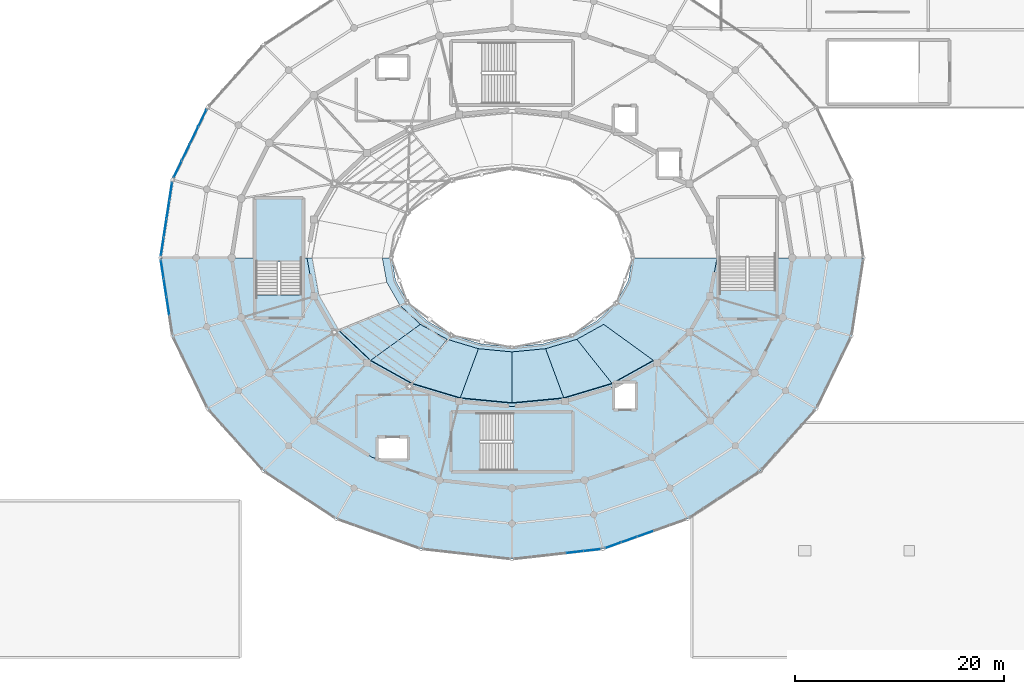
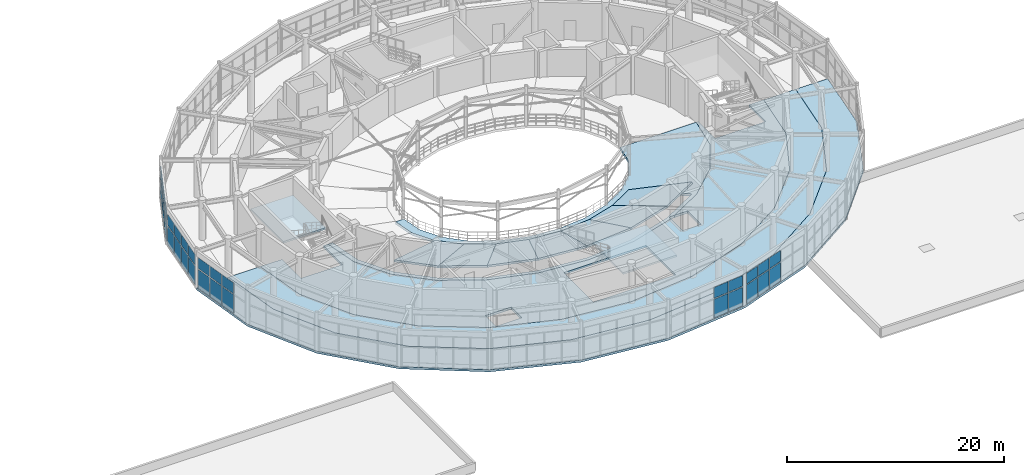
# One storey, part 74 of 112: 32 plates, 13 slabs, 7 elements without a shape of their own.
"""IFC4 building model written with IfcOpenShell, lengths in metres."""

from ifc_helpers import new_model, si_unit, direction, frame, origin, origin_2d, place, context, subcontext, project, spatial, polyline, rectangle, outline, extrude, material, layer, layer_set, type_object, element, aggregate, save


model = new_model("IFC4")

# Units and contexts
model_context = context("Model", 3, precision=1e-05, world=origin(), true_north=direction((0.0, 1.0)))
body_context = subcontext(model_context, "Body", "Model", "MODEL_VIEW")
ifc_project = project(units=[si_unit("LENGTHUNIT", "METRE"), si_unit("AREAUNIT", "SQUARE_METRE"), si_unit("VOLUMEUNIT", "CUBIC_METRE"), si_unit("PLANEANGLEUNIT", "RADIAN"), si_unit("MASSUNIT", "GRAM", prefix="KILO")], contexts=[model_context])

# Site, building, storey
site_placement = place(None, origin())
site = spatial("IfcSite", under=ifc_project, at=site_placement, CompositionType="ELEMENT")
building_placement = place(site_placement, origin())
building = spatial("IfcBuilding", under=site, at=building_placement, Name="Cinderbank Siding Concert Hall", CompositionType="ELEMENT")
storey_placement = place(building_placement, frame((0.0, 0.0, 10.199951171875)))
storey = spatial("IfcBuildingStorey", under=building, at=storey_placement, Name="L03", CompositionType="ELEMENT", Elevation=10.199951171875)

# Curtain wall, plates
ifc_material_1 = material(Name="Anodised aluminium alloy 6063-T6", Category="aluminium")
curtain_wall_type_1 = type_object("IfcCurtainWallType", Name="CW-11 Unitised Acoustic Curtain Wall 6600x3500", PredefinedType="NOTDEFINED", material=ifc_material_1)
curtain_wall_1_placement = place(storey_placement, origin())
curtain_wall_1 = element("IfcCurtainWall", 1, at=curtain_wall_1_placement, inside=storey, type_object=curtain_wall_type_1, Name="L03 Curtain Wall CW-11 #35", PredefinedType="NOTDEFINED")
ifc_material_2 = material(Name="Double-glazed laminated acoustic glass", Category="glass")
ifc_layer_1 = layer(ifc_material_2, 0.031982421875)
ifc_layer_set_1 = layer_set([ifc_layer_1], Name="Double-glazed laminated acoustic glass")
plate_type_1 = type_object("IfcPlateType", Name="CP-04 Glazed Curtain Panel 1400x2000", PredefinedType="CURTAIN_PANEL", material=ifc_layer_set_1)
plate_1_placement = place(storey_placement, frame((92.407958984375, 57.37841796875, 0.1201171875), z_axis=(0.0, 0.0, 1.0), x_axis=(-0.435102109714, -0.900381116041, 0.0)))
plate_1 = element("IfcPlate", 2, at=plate_1_placement, type_object=plate_type_1, Name="CW-L03-035 Glazed Panel 0-0", PredefinedType="CURTAIN_PANEL", context=body_context, shape_type="SweptSolid", body=[
    extrude(rectangle(XDim=1.715087890625, YDim=0.035888671875, at=origin_2d()), origin(), (0.0, 0.0, 1.0), 2.093505859375),
])
plate_2_placement = place(storey_placement, frame((92.407958984375, 57.37841796875, 2.333740234375), z_axis=(0.0, 0.0, 1.0), x_axis=(-0.435102109714, -0.900381116041, 0.0)))
plate_2 = element("IfcPlate", 3, at=plate_2_placement, type_object=plate_type_1, Name="CW-L03-035 Glazed Panel 0-1", PredefinedType="CURTAIN_PANEL", context=body_context, shape_type="SweptSolid", body=[
    extrude(rectangle(XDim=1.715087890625, YDim=0.035888671875, at=origin_2d()), origin(), (0.0, 0.0, 1.0), 1.21337890625),
])
plate_3_placement = place(storey_placement, frame((91.6181640625, 55.744140625, 0.1201171875), z_axis=(0.0, 0.0, 1.0), x_axis=(-0.435102109714, -0.900381116041, 0.0)))
plate_3 = element("IfcPlate", 4, at=plate_3_placement, type_object=plate_type_1, Name="CW-L03-035 Glazed Panel 1-0", PredefinedType="CURTAIN_PANEL", context=body_context, shape_type="SweptSolid", body=[
    extrude(rectangle(XDim=1.715087890625, YDim=0.035888671875, at=origin_2d()), origin(), (0.0, 0.0, 1.0), 2.093505859375),
])
plate_4_placement = place(storey_placement, frame((91.6181640625, 55.744140625, 2.333740234375), z_axis=(0.0, 0.0, 1.0), x_axis=(-0.435102109714, -0.900381116041, 0.0)))
plate_4 = element("IfcPlate", 5, at=plate_4_placement, type_object=plate_type_1, Name="CW-L03-035 Glazed Panel 1-1", PredefinedType="CURTAIN_PANEL", context=body_context, shape_type="SweptSolid", body=[
    extrude(rectangle(XDim=1.715087890625, YDim=0.035888671875, at=origin_2d()), origin(), (0.0, 0.0, 1.0), 1.21337890625),
])
plate_5_placement = place(storey_placement, frame((90.828369140625, 54.10986328125, 0.1201171875), z_axis=(0.0, 0.0, 1.0), x_axis=(-0.435102109714, -0.900381116041, 0.0)))
plate_5 = element("IfcPlate", 6, at=plate_5_placement, type_object=plate_type_1, Name="CW-L03-035 Glazed Panel 2-0", PredefinedType="CURTAIN_PANEL", context=body_context, shape_type="SweptSolid", body=[
    extrude(rectangle(XDim=1.715087890625, YDim=0.035888671875, at=origin_2d()), origin(), (0.0, 0.0, 1.0), 2.093505859375),
])
plate_6_placement = place(storey_placement, frame((90.828369140625, 54.10986328125, 2.333740234375), z_axis=(0.0, 0.0, 1.0), x_axis=(-0.435102109714, -0.900381116041, 0.0)))
plate_6 = element("IfcPlate", 7, at=plate_6_placement, type_object=plate_type_1, Name="CW-L03-035 Glazed Panel 2-1", PredefinedType="CURTAIN_PANEL", context=body_context, shape_type="SweptSolid", body=[
    extrude(rectangle(XDim=1.715087890625, YDim=0.035888671875, at=origin_2d()), origin(), (0.0, 0.0, 1.0), 1.21337890625),
])
plate_7_placement = place(storey_placement, frame((90.03857421875, 52.4755859375, 0.1201171875), z_axis=(0.0, 0.0, 1.0), x_axis=(-0.435102109714, -0.900381116041, 0.0)))
plate_7 = element("IfcPlate", 8, at=plate_7_placement, type_object=plate_type_1, Name="CW-L03-035 Glazed Panel 3-0", PredefinedType="CURTAIN_PANEL", context=body_context, shape_type="SweptSolid", body=[
    extrude(rectangle(XDim=1.715087890625, YDim=0.035888671875, at=origin_2d()), origin(), (0.0, 0.0, 1.0), 2.093505859375),
])
plate_8_placement = place(storey_placement, frame((90.03857421875, 52.4755859375, 2.333740234375), z_axis=(0.0, 0.0, 1.0), x_axis=(-0.435102109714, -0.900381116041, 0.0)))
plate_8 = element("IfcPlate", 9, at=plate_8_placement, type_object=plate_type_1, Name="CW-L03-035 Glazed Panel 3-1", PredefinedType="CURTAIN_PANEL", context=body_context, shape_type="SweptSolid", body=[
    extrude(rectangle(XDim=1.715087890625, YDim=0.035888671875, at=origin_2d()), origin(), (0.0, 0.0, 1.0), 1.21337890625),
])
aggregate(curtain_wall_1, [plate_1, plate_2, plate_3, plate_4, plate_5, plate_6, plate_7, plate_8])

curtain_wall_type_2 = type_object("IfcCurtainWallType", Name="CW-07 Unitised Acoustic Curtain Wall 7000x3800", PredefinedType="NOTDEFINED", material=ifc_material_1)
curtain_wall_2_placement = place(storey_placement, origin())
curtain_wall_2 = element("IfcCurtainWall", 10, at=curtain_wall_2_placement, inside=storey, type_object=curtain_wall_type_2, Name="L03 Curtain Wall CW-07 #43", PredefinedType="NOTDEFINED")
plate_9_placement = place(storey_placement, frame((127.997314453125, 15.876708984375, 0.1201171875), z_axis=(0.0, 0.0, 1.0), x_axis=(0.993693605349, 0.112129472879, 0.0)))
plate_9 = element("IfcPlate", 11, at=plate_9_placement, type_object=plate_type_1, Name="CW-L03-043 Glazed Panel 3-0", PredefinedType="CURTAIN_PANEL", context=body_context, shape_type="SweptSolid", body=[
    extrude(rectangle(XDim=1.5595703125, YDim=0.035888671875, at=origin_2d()), origin(), (0.0, 0.0, 1.0), 2.093505859375),
])
plate_10_placement = place(storey_placement, frame((127.997314453125, 15.876708984375, 2.333740234375), z_axis=(0.0, 0.0, 1.0), x_axis=(0.993693605349, 0.112129472879, 0.0)))
plate_10 = element("IfcPlate", 12, at=plate_10_placement, type_object=plate_type_1, Name="CW-L03-043 Glazed Panel 3-1", PredefinedType="CURTAIN_PANEL", context=body_context, shape_type="SweptSolid", body=[
    extrude(rectangle(XDim=1.5595703125, YDim=0.035888671875, at=origin_2d()), origin(), (0.0, 0.0, 1.0), 1.21337890625),
])
plate_11_placement = place(storey_placement, frame((129.646240234375, 16.062744140625, 0.1201171875), z_axis=(0.0, 0.0, 1.0), x_axis=(0.993693605349, 0.112129472879, 0.0)))
plate_11 = element("IfcPlate", 13, at=plate_11_placement, type_object=plate_type_1, Name="CW-L03-043 Glazed Panel 4-0", PredefinedType="CURTAIN_PANEL", context=body_context, shape_type="SweptSolid", body=[
    extrude(rectangle(XDim=1.5595703125, YDim=0.035888671875, at=origin_2d()), origin(), (0.0, 0.0, 1.0), 2.093505859375),
])
plate_12_placement = place(storey_placement, frame((129.646240234375, 16.062744140625, 2.333740234375), z_axis=(0.0, 0.0, 1.0), x_axis=(0.993693605349, 0.112129472879, 0.0)))
plate_12 = element("IfcPlate", 14, at=plate_12_placement, type_object=plate_type_1, Name="CW-L03-043 Glazed Panel 4-1", PredefinedType="CURTAIN_PANEL", context=body_context, shape_type="SweptSolid", body=[
    extrude(rectangle(XDim=1.5595703125, YDim=0.035888671875, at=origin_2d()), origin(), (0.0, 0.0, 1.0), 1.21337890625),
])
aggregate(curtain_wall_2, [plate_9, plate_10, plate_11, plate_12])

curtain_wall_type_3 = type_object("IfcCurtainWallType", Name="CW-12 Unitised Acoustic Curtain Wall 5800x3500", PredefinedType="NOTDEFINED", material=ifc_material_1)
curtain_wall_3_placement = place(storey_placement, origin())
curtain_wall_3 = element("IfcCurtainWall", 15, at=curtain_wall_3_placement, inside=storey, type_object=curtain_wall_type_3, Name="L03 Curtain Wall CW-12 #36", PredefinedType="NOTDEFINED")
ifc_layer_2 = layer(ifc_material_2, 0.031982421875)
ifc_layer_set_2 = layer_set([ifc_layer_2], Name="Double-glazed laminated acoustic glass")
plate_type_2 = type_object("IfcPlateType", Name="CP-05 Glazed Curtain Panel 1200x1800", PredefinedType="CURTAIN_PANEL", material=ifc_layer_set_2)
plate_13_placement = place(storey_placement, frame((89.3759765625, 50.35400390625, 0.1201171875), z_axis=(0.0, 0.0, 1.0), x_axis=(-0.151815048473, -0.988408918949, 0.0)))
plate_13 = element("IfcPlate", 16, at=plate_13_placement, type_object=plate_type_2, Name="CW-L03-036 Glazed Panel 0-0", PredefinedType="CURTAIN_PANEL", context=body_context, shape_type="SweptSolid", body=[
    extrude(rectangle(XDim=1.671875, YDim=0.035888671875, at=origin_2d()), origin(), (0.0, 0.0, 1.0), 2.093505859375),
])
plate_14_placement = place(storey_placement, frame((89.3759765625, 50.35400390625, 2.333740234375), z_axis=(0.0, 0.0, 1.0), x_axis=(-0.151815048473, -0.988408918949, 0.0)))
plate_14 = element("IfcPlate", 17, at=plate_14_placement, type_object=plate_type_2, Name="CW-L03-036 Glazed Panel 0-1", PredefinedType="CURTAIN_PANEL", context=body_context, shape_type="SweptSolid", body=[
    extrude(rectangle(XDim=1.671875, YDim=0.035888671875, at=origin_2d()), origin(), (0.0, 0.0, 1.0), 1.21337890625),
])
plate_15_placement = place(storey_placement, frame((89.10693359375, 48.602783203125, 0.1201171875), z_axis=(0.0, 0.0, 1.0), x_axis=(-0.151815048473, -0.988408918949, 0.0)))
plate_15 = element("IfcPlate", 18, at=plate_15_placement, type_object=plate_type_2, Name="CW-L03-036 Glazed Panel 1-0", PredefinedType="CURTAIN_PANEL", context=body_context, shape_type="SweptSolid", body=[
    extrude(rectangle(XDim=1.671875, YDim=0.035888671875, at=origin_2d()), origin(), (0.0, 0.0, 1.0), 2.093505859375),
])
plate_16_placement = place(storey_placement, frame((89.10693359375, 48.602783203125, 2.333740234375), z_axis=(0.0, 0.0, 1.0), x_axis=(-0.151815048473, -0.988408918949, 0.0)))
plate_16 = element("IfcPlate", 19, at=plate_16_placement, type_object=plate_type_2, Name="CW-L03-036 Glazed Panel 1-1", PredefinedType="CURTAIN_PANEL", context=body_context, shape_type="SweptSolid", body=[
    extrude(rectangle(XDim=1.671875, YDim=0.035888671875, at=origin_2d()), origin(), (0.0, 0.0, 1.0), 1.21337890625),
])
plate_17_placement = place(storey_placement, frame((88.837890625, 46.851318359375, 0.1201171875), z_axis=(0.0, 0.0, 1.0), x_axis=(-0.151815048473, -0.988408918949, 0.0)))
plate_17 = element("IfcPlate", 20, at=plate_17_placement, type_object=plate_type_2, Name="CW-L03-036 Glazed Panel 2-0", PredefinedType="CURTAIN_PANEL", context=body_context, shape_type="SweptSolid", body=[
    extrude(rectangle(XDim=1.671875, YDim=0.035888671875, at=origin_2d()), origin(), (0.0, 0.0, 1.0), 2.093505859375),
])
plate_18_placement = place(storey_placement, frame((88.837890625, 46.851318359375, 2.333740234375), z_axis=(0.0, 0.0, 1.0), x_axis=(-0.151815048473, -0.988408918949, 0.0)))
plate_18 = element("IfcPlate", 21, at=plate_18_placement, type_object=plate_type_2, Name="CW-L03-036 Glazed Panel 2-1", PredefinedType="CURTAIN_PANEL", context=body_context, shape_type="SweptSolid", body=[
    extrude(rectangle(XDim=1.671875, YDim=0.035888671875, at=origin_2d()), origin(), (0.0, 0.0, 1.0), 1.21337890625),
])
plate_19_placement = place(storey_placement, frame((88.569091796875, 45.10009765625, 0.1201171875), z_axis=(0.0, 0.0, 1.0), x_axis=(-0.151815048473, -0.988408918949, 0.0)))
plate_19 = element("IfcPlate", 22, at=plate_19_placement, type_object=plate_type_2, Name="CW-L03-036 Glazed Panel 3-0", PredefinedType="CURTAIN_PANEL", context=body_context, shape_type="SweptSolid", body=[
    extrude(rectangle(XDim=1.671875, YDim=0.035888671875, at=origin_2d()), origin(), (0.0, 0.0, 1.0), 2.093505859375),
])
plate_20_placement = place(storey_placement, frame((88.569091796875, 45.10009765625, 2.333740234375), z_axis=(0.0, 0.0, 1.0), x_axis=(-0.151815048473, -0.988408918949, 0.0)))
plate_20 = element("IfcPlate", 23, at=plate_20_placement, type_object=plate_type_2, Name="CW-L03-036 Glazed Panel 3-1", PredefinedType="CURTAIN_PANEL", context=body_context, shape_type="SweptSolid", body=[
    extrude(rectangle(XDim=1.671875, YDim=0.035888671875, at=origin_2d()), origin(), (0.0, 0.0, 1.0), 1.21337890625),
])
aggregate(curtain_wall_3, [plate_13, plate_14, plate_15, plate_16, plate_17, plate_18, plate_19, plate_20])

curtain_wall_type_4 = type_object("IfcCurtainWallType", Name="CW-08 Unitised Acoustic Curtain Wall 6400x3800", PredefinedType="NOTDEFINED", material=ifc_material_1)
curtain_wall_4_placement = place(storey_placement, origin())
curtain_wall_4 = element("IfcCurtainWall", 24, at=curtain_wall_4_placement, inside=storey, type_object=curtain_wall_type_4, Name="L03 Curtain Wall CW-08 #44", PredefinedType="NOTDEFINED")
plate_21_placement = place(storey_placement, frame((131.677734375, 16.52978515625, 0.1201171875), z_axis=(0.0, 0.0, 1.0), x_axis=(0.942365662238, 0.334584755532, 0.0)))
plate_21 = element("IfcPlate", 25, at=plate_21_placement, type_object=plate_type_2, Name="CW-L03-044 Glazed Panel 0-0", PredefinedType="CURTAIN_PANEL", context=body_context, shape_type="SweptSolid", body=[
    extrude(rectangle(XDim=1.529052734375, YDim=0.035888671875, at=origin_2d()), origin(), (0.0, 0.0, 1.0), 2.093505859375),
])
plate_22_placement = place(storey_placement, frame((131.677734375, 16.52978515625, 2.333740234375), z_axis=(0.0, 0.0, 1.0), x_axis=(0.942365662238, 0.334584755532, 0.0)))
plate_22 = element("IfcPlate", 26, at=plate_22_placement, type_object=plate_type_2, Name="CW-L03-044 Glazed Panel 0-1", PredefinedType="CURTAIN_PANEL", context=body_context, shape_type="SweptSolid", body=[
    extrude(rectangle(XDim=1.529052734375, YDim=0.035888671875, at=origin_2d()), origin(), (0.0, 0.0, 1.0), 1.21337890625),
])
plate_23_placement = place(storey_placement, frame((133.212890625, 17.07470703125, 0.1201171875), z_axis=(0.0, 0.0, 1.0), x_axis=(0.942365662238, 0.334584755532, 0.0)))
plate_23 = element("IfcPlate", 27, at=plate_23_placement, type_object=plate_type_2, Name="CW-L03-044 Glazed Panel 1-0", PredefinedType="CURTAIN_PANEL", context=body_context, shape_type="SweptSolid", body=[
    extrude(rectangle(XDim=1.529052734375, YDim=0.035888671875, at=origin_2d()), origin(), (0.0, 0.0, 1.0), 2.093505859375),
])
plate_24_placement = place(storey_placement, frame((133.212890625, 17.07470703125, 2.333740234375), z_axis=(0.0, 0.0, 1.0), x_axis=(0.942365662238, 0.334584755532, 0.0)))
plate_24 = element("IfcPlate", 28, at=plate_24_placement, type_object=plate_type_2, Name="CW-L03-044 Glazed Panel 1-1", PredefinedType="CURTAIN_PANEL", context=body_context, shape_type="SweptSolid", body=[
    extrude(rectangle(XDim=1.529052734375, YDim=0.035888671875, at=origin_2d()), origin(), (0.0, 0.0, 1.0), 1.21337890625),
])
plate_25_placement = place(storey_placement, frame((134.748291015625, 17.619873046875, 0.1201171875), z_axis=(0.0, 0.0, 1.0), x_axis=(0.942365662238, 0.334584755532, 0.0)))
plate_25 = element("IfcPlate", 29, at=plate_25_placement, type_object=plate_type_2, Name="CW-L03-044 Glazed Panel 2-0", PredefinedType="CURTAIN_PANEL", context=body_context, shape_type="SweptSolid", body=[
    extrude(rectangle(XDim=1.529052734375, YDim=0.035888671875, at=origin_2d()), origin(), (0.0, 0.0, 1.0), 2.093505859375),
])
plate_26_placement = place(storey_placement, frame((134.748291015625, 17.619873046875, 2.333740234375), z_axis=(0.0, 0.0, 1.0), x_axis=(0.942365662238, 0.334584755532, 0.0)))
plate_26 = element("IfcPlate", 30, at=plate_26_placement, type_object=plate_type_2, Name="CW-L03-044 Glazed Panel 2-1", PredefinedType="CURTAIN_PANEL", context=body_context, shape_type="SweptSolid", body=[
    extrude(rectangle(XDim=1.529052734375, YDim=0.035888671875, at=origin_2d()), origin(), (0.0, 0.0, 1.0), 1.21337890625),
])
aggregate(curtain_wall_4, [plate_21, plate_22, plate_23, plate_24, plate_25, plate_26])

curtain_wall_type_5 = type_object("IfcCurtainWallType", Name="CW-01 Unitised Acoustic Curtain Wall 8200x4400", PredefinedType="NOTDEFINED", material=ifc_material_1)
curtain_wall_5_placement = place(storey_placement, origin())
curtain_wall_5 = element("IfcCurtainWall", 31, at=curtain_wall_5_placement, inside=storey, type_object=curtain_wall_type_5, Name="L03 Curtain Wall CW-01 #37", PredefinedType="NOTDEFINED")
ifc_layer_3 = layer(ifc_material_2, 0.0380859375)
ifc_layer_set_3 = layer_set([ifc_layer_3], Name="Double-glazed laminated acoustic glass")
plate_type_3 = type_object("IfcPlateType", Name="CP-06 Glazed Curtain Panel 2100x1600", PredefinedType="CURTAIN_PANEL", material=ifc_layer_set_3)
plate_27_placement = place(storey_placement, frame((88.569091796875, 42.89990234375, 0.1201171875), z_axis=(0.0, 0.0, 1.0), x_axis=(0.151815048473, -0.988408918949, 0.0)))
plate_27 = element("IfcPlate", 32, at=plate_27_placement, type_object=plate_type_3, Name="CW-L03-037 Glazed Panel 0-0", PredefinedType="CURTAIN_PANEL", context=body_context, shape_type="SweptSolid", body=[
    extrude(rectangle(XDim=1.671875, YDim=0.035888671875, at=origin_2d()), origin(), (0.0, 0.0, 1.0), 2.093505859375),
])
plate_28_placement = place(storey_placement, frame((88.569091796875, 42.89990234375, 2.333740234375), z_axis=(0.0, 0.0, 1.0), x_axis=(0.151815048473, -0.988408918949, 0.0)))
plate_28 = element("IfcPlate", 33, at=plate_28_placement, type_object=plate_type_3, Name="CW-L03-037 Glazed Panel 0-1", PredefinedType="CURTAIN_PANEL", context=body_context, shape_type="SweptSolid", body=[
    extrude(rectangle(XDim=1.671875, YDim=0.035888671875, at=origin_2d()), origin(), (0.0, 0.0, 1.0), 1.21337890625),
])
plate_29_placement = place(storey_placement, frame((88.837890625, 41.148681640625, 0.1201171875), z_axis=(0.0, 0.0, 1.0), x_axis=(0.151815048473, -0.988408918949, 0.0)))
plate_29 = element("IfcPlate", 34, at=plate_29_placement, type_object=plate_type_3, Name="CW-L03-037 Glazed Panel 1-0", PredefinedType="CURTAIN_PANEL", context=body_context, shape_type="SweptSolid", body=[
    extrude(rectangle(XDim=1.671875, YDim=0.035888671875, at=origin_2d()), origin(), (0.0, 0.0, 1.0), 2.093505859375),
])
plate_30_placement = place(storey_placement, frame((88.837890625, 41.148681640625, 2.333740234375), z_axis=(0.0, 0.0, 1.0), x_axis=(0.151815048473, -0.988408918949, 0.0)))
plate_30 = element("IfcPlate", 35, at=plate_30_placement, type_object=plate_type_3, Name="CW-L03-037 Glazed Panel 1-1", PredefinedType="CURTAIN_PANEL", context=body_context, shape_type="SweptSolid", body=[
    extrude(rectangle(XDim=1.671875, YDim=0.035888671875, at=origin_2d()), origin(), (0.0, 0.0, 1.0), 1.21337890625),
])
plate_31_placement = place(storey_placement, frame((89.10693359375, 39.397216796875, 0.1201171875), z_axis=(0.0, 0.0, 1.0), x_axis=(0.151815048473, -0.988408918949, 0.0)))
plate_31 = element("IfcPlate", 36, at=plate_31_placement, type_object=plate_type_3, Name="CW-L03-037 Glazed Panel 2-0", PredefinedType="CURTAIN_PANEL", context=body_context, shape_type="SweptSolid", body=[
    extrude(rectangle(XDim=1.671875, YDim=0.035888671875, at=origin_2d()), origin(), (0.0, 0.0, 1.0), 2.093505859375),
])
plate_32_placement = place(storey_placement, frame((89.10693359375, 39.397216796875, 2.333740234375), z_axis=(0.0, 0.0, 1.0), x_axis=(0.151815048473, -0.988408918949, 0.0)))
plate_32 = element("IfcPlate", 37, at=plate_32_placement, type_object=plate_type_3, Name="CW-L03-037 Glazed Panel 2-1", PredefinedType="CURTAIN_PANEL", context=body_context, shape_type="SweptSolid", body=[
    extrude(rectangle(XDim=1.671875, YDim=0.035888671875, at=origin_2d()), origin(), (0.0, 0.0, 1.0), 1.21337890625),
])
aggregate(curtain_wall_5, [plate_27, plate_28, plate_29, plate_30, plate_31, plate_32])

# Stair, slab
ifc_material_3 = material(Name="Reinforced concrete AS 3600 N50 (50 MPa)", Category="concrete")
stair_type_1 = type_object("IfcStairType", Name="STR-A Dogleg Exit Stair 2650mm", PredefinedType="HALF_TURN_STAIR", material=ifc_material_3)
stair_1_placement = place(storey_placement, origin())
stair_1 = element("IfcStair", 38, at=stair_1_placement, inside=storey, type_object=stair_type_1, Name="L03 Fire-isolated Exit Stair ST-02", PredefinedType="HALF_TURN_STAIR")
ifc_layer_4 = layer(ifc_material_3, 0.199951171875)
ifc_layer_set_4 = layer_set([ifc_layer_4], Name="Reinforced concrete AS 3600 N50 (50 MPa)")
slab_type_1 = type_object("IfcSlabType", Name="LD-02 Slab 200mm", PredefinedType="LANDING", material=ifc_layer_set_4)
slab_1_placement = place(storey_placement, frame((0.0, 0.0, 2.050048828125)))
slab_1 = element("IfcSlab", 39, at=slab_1_placement, type_object=slab_type_1, Name="ST-02 landing 1", PredefinedType="LANDING", context=body_context, shape_type="SweptSolid", body=[
    extrude(outline(polyline([(122.06005859375, 23.6201171875), (122.06005859375, 29.239990234375), (127.780029296875, 29.239990234375), (127.780029296875, 23.6201171875), (122.06005859375, 23.6201171875)])), origin(), (0.0, 0.0, 1.0), 0.199951171875),
])
aggregate(stair_1, [slab_1])

stair_type_2 = type_object("IfcStairType", Name="STR-D Dogleg Exit Stair 2100mm", PredefinedType="HALF_TURN_STAIR", material=ifc_material_3)
stair_2_placement = place(storey_placement, origin())
stair_2 = element("IfcStair", 40, at=stair_2_placement, inside=storey, type_object=stair_type_2, Name="L03 West Drum Exit Stair ST-04", PredefinedType="HALF_TURN_STAIR")
slab_2_placement = place(storey_placement, frame((0.0, 0.0, 2.050048828125)))
slab_2 = element("IfcSlab", 41, at=slab_2_placement, type_object=slab_type_1, Name="ST-04 landing 1", PredefinedType="LANDING", context=body_context, shape_type="SweptSolid", body=[
    extrude(outline(polyline([(101.97998046875, 43.610107421875), (97.4599609375, 43.610107421875), (97.4599609375, 49.679931640625), (101.97998046875, 49.679931640625), (101.97998046875, 43.610107421875)])), origin(), (0.0, 0.0, 1.0), 0.199951171875),
])
aggregate(stair_2, [slab_2])

# Slabs
ifc_layer_5 = layer(ifc_material_3, 0.280029296875)
ifc_layer_set_5 = layer_set([ifc_layer_5], Name="Reinforced concrete AS 3600 N50 (50 MPa)")
slab_type_2 = type_object("IfcSlabType", Name="SL-02 Slab 280mm", PredefinedType="FLOOR", material=ifc_layer_set_5)
slab_3_placement = place(storey_placement, frame((0.0, 0.0, -0.280029296875)))
element("IfcSlab", 42, at=slab_3_placement, inside=storey, type_object=slab_type_2, Name="L03 Upper Circle Structural Ring South", PredefinedType="FLOOR", context=body_context, shape_type="SweptSolid", body=[
    extrude(outline(polyline([(132.389404296875, 32.030029296875), (131.820068359375, 32.030029296875), (131.800048828125, 31.702392578125), (127.072998046875, 30.283935546875), (122.0, 29.800048828125), (116.927001953125, 30.283935546875), (112.199951171875, 31.702392578125), (108.140625, 33.958984375), (105.02587890625, 36.89990234375), (103.06787109375, 40.32470703125), (102.401123046875, 43.993896484375), (102.899169921875, 43.993896484375), (103.547607421875, 40.419921875), (105.455322265625, 37.081787109375), (108.490478515625, 34.215087890625), (112.450439453125, 32.013671875), (117.0537109375, 30.632080078125), (121.998046875, 30.159912109375), (126.9462890625, 30.632080078125), (131.553466796875, 32.01513671875), (135.509521484375, 34.215087890625), (130.768310546875, 37.64990234375), (128.19921875, 36.2216796875), (125.208984375, 35.324462890625), (122.0, 35.018310546875), (118.791015625, 35.324462890625), (115.80078125, 36.2216796875), (113.233154296875, 37.649169921875), (111.262939453125, 39.509521484375), (110.0244140625, 41.675537109375), (109.60302734375, 43.993896484375), (110.501220703125, 43.993896484375), (110.891845703125, 41.800048828125), (112.040771484375, 39.75), (113.868408203125, 37.989501953125), (116.25, 36.638916015625), (119.023681640625, 35.78955078125), (122.0, 35.5), (124.976318359375, 35.78955078125), (127.75, 36.638916015625), (130.131591796875, 37.989501953125), (131.959228515625, 39.75), (133.108154296875, 41.800048828125), (133.498779296875, 43.993896484375), (141.598876953125, 43.993896484375), (140.93212890625, 40.32470703125), (138.97412109375, 36.89990234375), (135.859375, 33.958984375), (132.389404296875, 32.030029296875)])), origin(), (0.0, 0.0, 1.0), 0.280029296875),
])
slab_4_placement = place(storey_placement, frame((0.0, 0.0, -0.280029296875)))
element("IfcSlab", 43, at=slab_4_placement, inside=storey, type_object=slab_type_2, Name="L03 Upper Circle Inner Foyer South", PredefinedType="FLOOR", context=body_context, shape_type="SweptSolid", body=[
    extrude(outline(polyline([(148.154052734375, 31.300048828125), (143.3544921875, 26.03955078125), (137.10009765625, 22.0029296875), (129.81640625, 19.465576171875), (122.0, 18.60009765625), (114.18359375, 19.465576171875), (106.89990234375, 22.0029296875), (100.6455078125, 26.03955078125), (95.845947265625, 31.300048828125), (92.8291015625, 37.426025390625), (91.80078125, 43.993896484375), (95.200927734375, 43.993896484375), (96.11328125, 38.305908203125), (98.79052734375, 33.0), (103.049560546875, 28.443603515625), (108.60009765625, 24.947509765625), (115.063720703125, 22.74951171875), (122.0, 22.0), (128.936279296875, 22.74951171875), (135.39990234375, 24.947509765625), (140.950439453125, 28.443603515625), (145.20947265625, 33.0), (147.88671875, 38.305908203125), (148.799072265625, 43.993896484375), (152.19921875, 43.993896484375), (151.1708984375, 37.426025390625), (148.154052734375, 31.300048828125)])), origin(), (0.0, 0.0, 1.0), 0.280029296875),
])
ifc_layer_6 = layer(ifc_material_3, 0.25)
ifc_layer_set_6 = layer_set([ifc_layer_6], Name="Reinforced concrete AS 3600 N50 (50 MPa)")
slab_type_3 = type_object("IfcSlabType", Name="SL-04 Slab 250mm", PredefinedType="FLOOR", material=ifc_layer_set_6)
slab_5_placement = place(storey_placement, frame((0.0, 0.0, -0.25)))
element("IfcSlab", 44, at=slab_5_placement, inside=storey, type_object=slab_type_3, Name="L03 Upper Acoustic Lock Ring South", PredefinedType="FLOOR", context=body_context, shape_type="SweptSolid", body=[
    extrude(outline(polyline([(122.0, 22.0), (115.063720703125, 22.74951171875), (108.60009765625, 24.947509765625), (103.049560546875, 28.443603515625), (98.79052734375, 33.0), (96.11328125, 38.305908203125), (95.200927734375, 43.993896484375), (97.52001953125, 43.993896484375), (97.52001953125, 40.47998046875), (101.919921875, 40.47998046875), (101.919921875, 43.993896484375), (102.401123046875, 43.993896484375), (103.06787109375, 40.32470703125), (105.02587890625, 36.89990234375), (108.140625, 33.958984375), (112.199951171875, 31.702392578125), (116.927001953125, 30.283935546875), (122.0, 29.800048828125), (127.072998046875, 30.283935546875), (131.820068359375, 31.71337890625), (131.820068359375, 29.570068359375), (133.780029296875, 29.570068359375), (133.780029296875, 32.030029296875), (132.389404296875, 32.030029296875), (135.859375, 33.958984375), (138.97412109375, 36.89990234375), (140.93212890625, 40.32470703125), (141.598876953125, 43.993896484375), (141.820068359375, 43.993896484375), (141.820068359375, 40.8798828125), (147.219970703125, 40.8798828125), (147.219970703125, 43.993896484375), (148.799072265625, 43.993896484375), (147.88671875, 38.305908203125), (145.20947265625, 33.0), (140.950439453125, 28.443603515625), (135.39990234375, 24.947509765625), (128.936279296875, 22.74951171875), (122.0, 22.0)]), holes=[polyline([(118.949951171875, 23.699951171875), (127.699951171875, 23.699951171875), (127.699951171875, 29.159912109375), (118.949951171875, 29.159912109375), (118.949951171875, 23.699951171875)]), polyline([(111.97998046875, 24.820068359375), (111.97998046875, 26.780029296875), (109.219970703125, 26.780029296875), (109.219970703125, 24.820068359375), (111.97998046875, 24.820068359375)])]), origin(), (0.0, 0.0, 1.0), 0.25),
])
ifc_layer_7 = layer(ifc_material_3, 0.239990234375)
ifc_layer_set_7 = layer_set([ifc_layer_7], Name="Reinforced concrete AS 3600 N50 (50 MPa)")
slab_type_4 = type_object("IfcSlabType", Name="SL-06 Slab 240mm", PredefinedType="FLOOR", material=ifc_layer_set_7)
slab_6_placement = place(storey_placement, frame((0.0, 0.0, -0.239990234375)))
element("IfcSlab", 45, at=slab_6_placement, inside=storey, type_object=slab_type_4, Name="L03 Upper Circle Outer Foyer South", PredefinedType="FLOOR", context=body_context, shape_type="SweptSolid", body=[
    extrude(outline(polyline([(151.098388671875, 29.60009765625), (145.7587890625, 23.63525390625), (138.800048828125, 19.05859375), (130.6962890625, 16.181396484375), (122.0, 15.199951171875), (113.3037109375, 16.181396484375), (105.199951171875, 19.05859375), (98.2412109375, 23.63525390625), (92.901611328125, 29.60009765625), (89.544921875, 36.5458984375), (88.40087890625, 43.993896484375), (91.80078125, 43.993896484375), (92.8291015625, 37.426025390625), (95.845947265625, 31.300048828125), (100.6455078125, 26.03955078125), (106.89990234375, 22.0029296875), (114.18359375, 19.465576171875), (122.0, 18.60009765625), (129.81640625, 19.465576171875), (137.10009765625, 22.0029296875), (143.3544921875, 26.03955078125), (148.154052734375, 31.300048828125), (151.1708984375, 37.426025390625), (152.19921875, 43.993896484375), (155.59912109375, 43.993896484375), (154.455078125, 36.5458984375), (151.098388671875, 29.60009765625)])), origin(), (0.0, 0.0, 1.0), 0.239990234375),
])
ifc_material_4 = material(Name="Precast concrete AS 3600 N50 (50 MPa)", Category="concrete")
ifc_layer_8 = layer(ifc_material_4, 0.199951171875)
ifc_layer_set_8 = layer_set([ifc_layer_8], Name="Precast concrete AS 3600 N50 (50 MPa)")
slab_type_5 = type_object("IfcSlabType", Name="ST-TIER3 Slab 200mm", PredefinedType="USERDEFINED", material=ifc_layer_set_8)
slab_7_placement = place(storey_placement, frame((111.26123046875, 39.50830078125, 0.050048828125), z_axis=(0.151439915279, 0.160396459855, 0.975366048069), x_axis=(0.727127490026, -0.686502449548, -3.652882e-06)))
element("IfcSlab", 46, at=slab_7_placement, inside=storey, type_object=slab_type_5, Name="Stand Main Concert Hall Upper Circle Tier Bay 15", ObjectType="SEATING TIER", PredefinedType="USERDEFINED", context=body_context, shape_type="SweptSolid", body=[
    extrude(outline(polyline([(0.0, 0.0), (2.71025592468109, -2.220446049250313e-16), (1.62194929506472, -5.893466322134045), (-2.5526669985717594, -5.893352312722409), (0.0, 0.0)])), origin(), (0.0, 0.0, -1.0), 0.199951171875),
])
slab_8_placement = place(storey_placement, frame((113.23193359375, 37.647705078125, 0.050048828125), z_axis=(0.11571152016, 0.208140527108, 0.971230335748), x_axis=(0.874012572706, -0.48590330596, 2.931127e-06)))
element("IfcSlab", 47, at=slab_8_placement, inside=storey, type_object=slab_type_5, Name="Stand Main Concert Hall Upper Circle Tier Bay 16", ObjectType="SEATING TIER", PredefinedType="USERDEFINED", context=body_context, shape_type="SweptSolid", body=[
    extrude(outline(polyline([(0.0, 0.0), (2.938305855847374, 0.0), (2.0529504141753803, -5.459106541110697), (-2.472753389478904, -5.459198410484832), (0.0, 0.0)])), origin(), (0.0, 0.0, -1.0), 0.199951171875),
])
slab_9_placement = place(storey_placement, frame((115.800048828125, 36.219970703125, 0.050048828125), z_axis=(0.072472771881, 0.241508643755, 0.967688623643), x_axis=(0.957798681529, -0.287439881778, 5.053955e-06)))
element("IfcSlab", 48, at=slab_9_placement, inside=storey, type_object=slab_type_5, Name="Stand Main Concert Hall Upper Circle Tier Bay 17", ObjectType="SEATING TIER", PredefinedType="USERDEFINED", context=body_context, shape_type="SweptSolid", body=[
    extrude(outline(polyline([(0.0, 0.0), (3.122242445180576, 0.0), (2.809259927026141, -5.155834935676629), (-2.0003562674050155, -5.155993918592421), (0.0, 0.0)])), origin(), (0.0, 0.0, -1.0), 0.199951171875),
])
slab_10_placement = place(storey_placement, frame((118.79052734375, 35.322509765625, 0.050048828125), z_axis=(0.024674323938, 0.258623469425, 0.965663025491), x_axis=(0.995481064675, -0.094960254092, -4.00957e-06)))
element("IfcSlab", 49, at=slab_10_placement, inside=storey, type_object=slab_type_5, Name="Stand Main Concert Hall Upper Circle Tier Bay 18", ObjectType="SEATING TIER", PredefinedType="USERDEFINED", context=body_context, shape_type="SweptSolid", body=[
    extrude(outline(polyline([(0.0, 0.0), (3.22404156124279, 5.551115123125783e-17), (3.6849969765634825, -5.004135405942396), (-1.2808145001082778, -5.0040090084863955), (0.0, 0.0)])), origin(), (0.0, 0.0, -1.0), 0.199951171875),
])
slab_11_placement = place(storey_placement, frame((122.0, 35.016357421875, 0.050048828125), z_axis=(-0.024674323938, 0.258623469425, 0.965663025491), x_axis=(0.995481064675, 0.094960254092, 4.00957e-06)))
element("IfcSlab", 50, at=slab_11_placement, inside=storey, type_object=slab_type_5, Name="Stand Main Concert Hall Upper Circle Tier Bay 19", ObjectType="SEATING TIER", PredefinedType="USERDEFINED", context=body_context, shape_type="SweptSolid", body=[
    extrude(outline(polyline([(0.0, 0.0), (3.22404156124279, -5.551115123125783e-17), (4.5048560613510675, -5.004009008486396), (-0.4609554153206926, -5.004135405942396), (0.0, 0.0)])), origin(), (0.0, 0.0, -1.0), 0.199951171875),
])
slab_12_placement = place(storey_placement, frame((125.20947265625, 35.322509765625, 0.050048828125), z_axis=(-0.072472771881, 0.241508643755, 0.967688623643), x_axis=(0.957798681529, 0.287439881778, -5.053955e-06)))
element("IfcSlab", 51, at=slab_12_placement, inside=storey, type_object=slab_type_5, Name="Stand Main Concert Hall Upper Circle Tier Bay 20", ObjectType="SEATING TIER", PredefinedType="USERDEFINED", context=body_context, shape_type="SweptSolid", body=[
    extrude(outline(polyline([(0.0, 0.0), (3.122242445180576, 0.0), (5.1225987125855905, -5.155993918592421), (0.3129825181544345, -5.155834935676629), (0.0, 0.0)])), origin(), (0.0, 0.0, -1.0), 0.199951171875),
])
slab_13_placement = place(storey_placement, frame((128.199951171875, 36.219970703125, 0.050048828125), z_axis=(-0.11571152016, 0.208140527108, 0.971230335748), x_axis=(0.874012572706, 0.48590330596, -2.931127e-06)))
element("IfcSlab", 52, at=slab_13_placement, inside=storey, type_object=slab_type_5, Name="Stand Main Concert Hall Upper Circle Tier Bay 21", ObjectType="SEATING TIER", PredefinedType="USERDEFINED", context=body_context, shape_type="SweptSolid", body=[
    extrude(outline(polyline([(0.0, 0.0), (2.938305855847374, 0.0), (5.411059245326279, -5.459198410484832), (0.8853554416719939, -5.459106541110697), (0.0, 0.0)])), origin(), (0.0, 0.0, -1.0), 0.199951171875),
])

save(model, "model.ifc")
